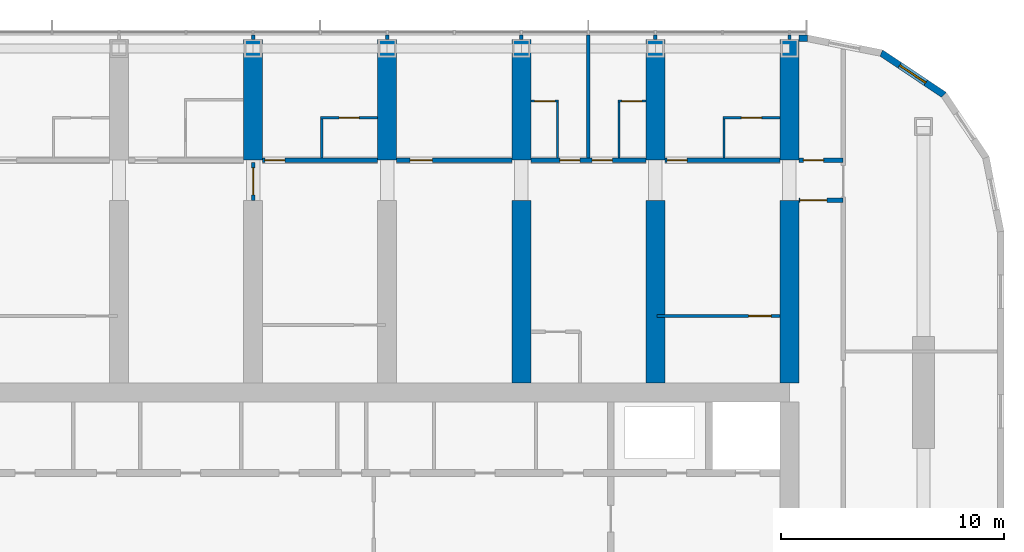
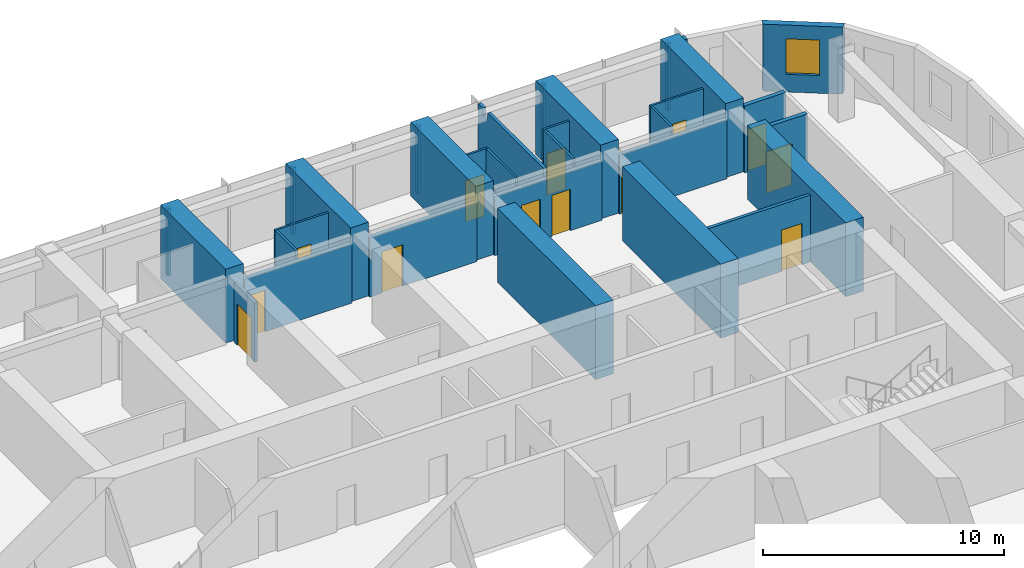
# One storey, part 16 of 22: 32 walls, 13 doors, 1 window, 14 openings.
"""IFC4 building model written with IfcOpenShell, lengths in metres."""

from ifc_helpers import new_model, si_unit, direction, frame, frame_2d, origin, place, context, subcontext, project, spatial, polyline, rectangle, outline, extrude, material, layer, layer_set, type_object, element, fill, save


model = new_model("IFC4")

# Units and contexts
model_context = context("Model", 3, precision=1e-05, world=origin(), true_north=direction((0.0, 1.0)))
body_context = subcontext(model_context, "Body", "Model", "MODEL_VIEW")
ifc_project = project(units=[si_unit("LENGTHUNIT", "METRE"), si_unit("AREAUNIT", "SQUARE_METRE"), si_unit("VOLUMEUNIT", "CUBIC_METRE"), si_unit("PLANEANGLEUNIT", "RADIAN"), si_unit("MASSUNIT", "GRAM", prefix="KILO")], contexts=[model_context])

# Site, building, storey
site_placement = place(None, origin())
site = spatial("IfcSite", under=ifc_project, at=site_placement, CompositionType="ELEMENT")
building_placement = place(site_placement, origin())
building = spatial("IfcBuilding", under=site, at=building_placement, Name="Orbita Commons", CompositionType="ELEMENT")
storey_placement = place(building_placement, frame((0.0, 0.0, 197.35009765625)))
storey = spatial("IfcBuildingStorey", under=building, at=storey_placement, Name="L49", CompositionType="ELEMENT", Elevation=197.35009765625)

# Wall, opening, door
ifc_material_1 = material(Name="Concrete blockwork", Category="masonry")
ifc_layer_1 = layer(ifc_material_1, 0.199951171875)
ifc_layer_set_1 = layer_set([ifc_layer_1], Name="Concrete blockwork")
wall_type_1 = type_object("IfcWallType", Name="Corridor wall 200 blockwork", PredefinedType="SOLIDWALL", material=ifc_layer_set_1)
wall_1_placement = place(storey_placement, frame((42.425048828125, 48.60009765625, 0.0), z_axis=(0.0, 0.0, 1.0), x_axis=(1.0, 0.0, 0.0)))
wall_1 = element("IfcWall", 1, at=wall_1_placement, inside=storey, type_object=wall_type_1, Name="Corridor wall 200 blockwork L49", PredefinedType="SOLIDWALL", context=body_context, shape_type="SweptSolid", body=[
    extrude(outline(polyline([(0.0, 0.0), (5.14990234375, 0.0), (5.14990234375, 3.0), (0.0, 3.0), (0.0, 0.0)])), frame((0.0, 0.10009765625, 0.0), z_axis=(0.0, -1.0, 0.0), x_axis=(1.0, 0.0, 0.0)), (0.0, 0.0, 1.0), 0.199951171875),
])
opening_1_placement = place(wall_1_placement, frame((0.10009765625, 0.0, 0.0)))
opening_1 = element("IfcOpeningElement", 2, at=opening_1_placement, cuts=wall_1, Name="Opening D11", PredefinedType="OPENING", context=body_context, shape_type="SweptSolid", body=[
    extrude(rectangle(XDim=0.89990234375, YDim=2.10009765625, at=frame_2d((0.449951171875, 1.050048828125))), frame((0.0, 0.10986328125, 0.0), z_axis=(0.0, -1.0, 0.0), x_axis=(1.0, 0.0, 0.0)), (0.0, 0.0, 1.0), 0.219970703125),
])
ifc_material_2 = material(Name="Steel-faced fire door leaf", Category="steel")
door_type_1 = type_object("IfcDoorType", Name="Corridor door 20 min 900x2100", OperationType="SINGLE_SWING_LEFT", PredefinedType="DOOR", material=ifc_material_2)
door_1_placement = place(opening_1_placement, origin())
door_1 = element("IfcDoor", 3, at=door_1_placement, inside=storey, type_object=door_type_1, Name="Twin room L49-N08 door", OperationType="SINGLE_SWING_LEFT", OverallHeight=2.10009765625, OverallWidth=0.89990234375, PredefinedType="DOOR", context=body_context, shape_type="SweptSolid", body=[
    extrude(rectangle(XDim=0.89990234375, YDim=2.10009765625, at=frame_2d((0.449951171875, 1.050048828125))), frame((0.0, 0.02490234375, 0.0), z_axis=(0.0, -1.0, 0.0), x_axis=(1.0, 0.0, 0.0)), (0.0, 0.0, 1.0), 0.050048828125),
])
fill(opening_1, door_1)

wall_2_placement = place(storey_placement, frame((48.425048828125, 48.60009765625, 0.0), z_axis=(0.0, 0.0, 1.0), x_axis=(1.0, 0.0, 0.0)))
wall_2 = element("IfcWall", 4, at=wall_2_placement, inside=storey, type_object=wall_type_1, Name="Corridor wall 200 blockwork L49", PredefinedType="SOLIDWALL", context=body_context, shape_type="SweptSolid", body=[
    extrude(outline(polyline([(0.0, 0.0), (5.14990234375, 0.0), (5.14990234375, 3.0), (0.0, 3.0), (0.0, 0.0)])), frame((0.0, 0.10009765625, 0.0), z_axis=(0.0, -1.0, 0.0), x_axis=(1.0, 0.0, 0.0)), (0.0, 0.0, 1.0), 0.199951171875),
])
opening_2_placement = place(wall_2_placement, frame((0.60009765625, 0.0, 0.0)))
opening_2 = element("IfcOpeningElement", 5, at=opening_2_placement, cuts=wall_2, Name="Opening D06", PredefinedType="OPENING", context=body_context, shape_type="SweptSolid", body=[
    extrude(rectangle(XDim=1.0, YDim=2.10009765625, at=frame_2d((0.5, 1.050048828125))), frame((0.0, 0.10986328125, 0.0), z_axis=(0.0, -1.0, 0.0), x_axis=(1.0, 0.0, 0.0)), (0.0, 0.0, 1.0), 0.219970703125),
])
ifc_material_3 = material(Name="Steel-faced fire door leaf", Category="steel")
door_type_2 = type_object("IfcDoorType", Name="Corridor door 20 min 1000x2100", OperationType="SINGLE_SWING_LEFT", PredefinedType="DOOR", material=ifc_material_3)
door_2_placement = place(opening_2_placement, origin())
door_2 = element("IfcDoor", 6, at=door_2_placement, inside=storey, type_object=door_type_2, Name="Cluster kitchen-diner L49-N10 door", OperationType="SINGLE_SWING_LEFT", OverallHeight=2.10009765625, OverallWidth=1.0, PredefinedType="DOOR", context=body_context, shape_type="SweptSolid", body=[
    extrude(rectangle(XDim=1.0, YDim=2.10009765625, at=frame_2d((0.5, 1.050048828125))), frame((0.0, 0.02490234375, 0.0), z_axis=(0.0, -1.0, 0.0), x_axis=(1.0, 0.0, 0.0)), (0.0, 0.0, 1.0), 0.050048828125),
])
fill(opening_2, door_2)

# Wall, openings, doors
wall_3_placement = place(storey_placement, frame((54.425048828125, 48.60009765625, 0.0), z_axis=(0.0, 0.0, 1.0), x_axis=(1.0, 0.0, 0.0)))
wall_3 = element("IfcWall", 7, at=wall_3_placement, inside=storey, type_object=wall_type_1, Name="Corridor wall 200 blockwork L49", PredefinedType="SOLIDWALL", context=body_context, shape_type="SweptSolid", body=[
    extrude(outline(polyline([(0.0, 0.0), (5.14990234375, 0.0), (5.14990234375, 3.0), (0.0, 3.0), (0.0, 0.0)])), frame((0.0, 0.10009765625, 0.0), z_axis=(0.0, -1.0, 0.0), x_axis=(1.0, 0.0, 0.0)), (0.0, 0.0, 1.0), 0.199951171875),
])
opening_3_placement = place(wall_3_placement, frame((1.300048828125, 0.0, 0.0)))
opening_3 = element("IfcOpeningElement", 8, at=opening_3_placement, cuts=wall_3, Name="Opening D11", PredefinedType="OPENING", context=body_context, shape_type="SweptSolid", body=[
    extrude(rectangle(XDim=0.89990234375, YDim=2.10009765625, at=frame_2d((0.449951171875, 1.050048828125))), frame((0.0, 0.10986328125, 0.0), z_axis=(0.0, -1.0, 0.0), x_axis=(1.0, 0.0, 0.0)), (0.0, 0.0, 1.0), 0.219970703125),
])
opening_4_placement = place(wall_3_placement, frame((2.75, 0.0, 0.0)))
opening_4 = element("IfcOpeningElement", 9, at=opening_4_placement, cuts=wall_3, Name="Opening D11", PredefinedType="OPENING", context=body_context, shape_type="SweptSolid", body=[
    extrude(rectangle(XDim=0.89990234375, YDim=2.10009765625, at=frame_2d((0.449951171875, 1.050048828125))), frame((0.0, 0.10986328125, 0.0), z_axis=(0.0, -1.0, 0.0), x_axis=(1.0, 0.0, 0.0)), (0.0, 0.0, 1.0), 0.219970703125),
])
door_3_placement = place(opening_3_placement, origin())
door_3 = element("IfcDoor", 10, at=door_3_placement, inside=storey, type_object=door_type_1, Name="Cluster bedroom L49-N12 door", OperationType="SINGLE_SWING_LEFT", OverallHeight=2.10009765625, OverallWidth=0.89990234375, PredefinedType="DOOR", context=body_context, shape_type="SweptSolid", body=[
    extrude(rectangle(XDim=0.89990234375, YDim=2.10009765625, at=frame_2d((0.449951171875, 1.050048828125))), frame((0.0, 0.02490234375, 0.0), z_axis=(0.0, -1.0, 0.0), x_axis=(1.0, 0.0, 0.0)), (0.0, 0.0, 1.0), 0.050048828125),
])
fill(opening_3, door_3)
door_4_placement = place(opening_4_placement, origin())
door_4 = element("IfcDoor", 11, at=door_4_placement, inside=storey, type_object=door_type_1, Name="Cluster bedroom L49-N13 door", OperationType="SINGLE_SWING_LEFT", OverallHeight=2.10009765625, OverallWidth=0.89990234375, PredefinedType="DOOR", context=body_context, shape_type="SweptSolid", body=[
    extrude(rectangle(XDim=0.89990234375, YDim=2.10009765625, at=frame_2d((0.449951171875, 1.050048828125))), frame((0.0, 0.02490234375, 0.0), z_axis=(0.0, -1.0, 0.0), x_axis=(1.0, 0.0, 0.0)), (0.0, 0.0, 1.0), 0.050048828125),
])
fill(opening_4, door_4)

# Wall, opening, door
wall_4_placement = place(storey_placement, frame((60.425048828125, 48.60009765625, 0.0), z_axis=(0.0, 0.0, 1.0), x_axis=(1.0, 0.0, 0.0)))
wall_4 = element("IfcWall", 12, at=wall_4_placement, inside=storey, type_object=wall_type_1, Name="Corridor wall 200 blockwork L49", PredefinedType="SOLIDWALL", context=body_context, shape_type="SweptSolid", body=[
    extrude(outline(polyline([(0.0, 0.0), (5.14990234375, 0.0), (5.14990234375, 3.0), (0.0, 3.0), (0.0, 0.0)])), frame((0.0, 0.10009765625, 0.0), z_axis=(0.0, -1.0, 0.0), x_axis=(1.0, 0.0, 0.0)), (0.0, 0.0, 1.0), 0.199951171875),
])
opening_5_placement = place(wall_4_placement, frame((0.10009765625, 0.0, 0.0)))
opening_5 = element("IfcOpeningElement", 13, at=opening_5_placement, cuts=wall_4, Name="Opening D11", PredefinedType="OPENING", context=body_context, shape_type="SweptSolid", body=[
    extrude(rectangle(XDim=0.89990234375, YDim=2.10009765625, at=frame_2d((0.449951171875, 1.050048828125))), frame((0.0, 0.10986328125, 0.0), z_axis=(0.0, -1.0, 0.0), x_axis=(1.0, 0.0, 0.0)), (0.0, 0.0, 1.0), 0.219970703125),
])
door_5_placement = place(opening_5_placement, origin())
door_5 = element("IfcDoor", 14, at=door_5_placement, inside=storey, type_object=door_type_1, Name="Twin room L49-N14 door", OperationType="SINGLE_SWING_LEFT", OverallHeight=2.10009765625, OverallWidth=0.89990234375, PredefinedType="DOOR", context=body_context, shape_type="SweptSolid", body=[
    extrude(rectangle(XDim=0.89990234375, YDim=2.10009765625, at=frame_2d((0.449951171875, 1.050048828125))), frame((0.0, 0.02490234375, 0.0), z_axis=(0.0, -1.0, 0.0), x_axis=(1.0, 0.0, 0.0)), (0.0, 0.0, 1.0), 0.050048828125),
])
fill(opening_5, door_5)

wall_5_placement = place(storey_placement, frame((66.425048828125, 48.60009765625, 0.0), z_axis=(0.0, 0.0, 1.0), x_axis=(1.0, 0.0, 0.0)))
wall_5 = element("IfcWall", 15, at=wall_5_placement, inside=storey, type_object=wall_type_1, Name="Corridor wall 200 blockwork L49", PredefinedType="SOLIDWALL", context=body_context, shape_type="SweptSolid", body=[
    extrude(rectangle(XDim=1.974853515625, YDim=0.199951171875, at=frame_2d((0.9873046875, 0.0))), origin(), (0.0, 0.0, 1.0), 3.39990234375),
])
opening_6_placement = place(wall_5_placement, frame((0.199951171875, 0.0, 0.0)))
opening_6 = element("IfcOpeningElement", 16, at=opening_6_placement, cuts=wall_5, Name="Opening D05", PredefinedType="OPENING", context=body_context, shape_type="SweptSolid", body=[
    extrude(rectangle(XDim=0.89990234375, YDim=2.10009765625, at=frame_2d((0.449951171875, 1.050048828125))), frame((0.0, 0.10986328125, 0.0), z_axis=(0.0, -1.0, 0.0), x_axis=(1.0, 0.0, 0.0)), (0.0, 0.0, 1.0), 0.219970703125),
])
ifc_material_4 = material(Name="Steel-faced fire door leaf", Category="steel")
door_type_3 = type_object("IfcDoorType", Name="Service door 20 min 900x2100", OperationType="SINGLE_SWING_LEFT", PredefinedType="DOOR", material=ifc_material_4)
door_6_placement = place(opening_6_placement, origin())
door_6 = element("IfcDoor", 17, at=door_6_placement, inside=storey, type_object=door_type_3, Name="Linen store L49-KEN door", OperationType="SINGLE_SWING_LEFT", OverallHeight=2.10009765625, OverallWidth=0.89990234375, PredefinedType="DOOR", context=body_context, shape_type="SweptSolid", body=[
    extrude(rectangle(XDim=0.89990234375, YDim=2.10009765625, at=frame_2d((0.449951171875, 1.050048828125))), frame((0.0, 0.02490234375, 0.0), z_axis=(0.0, -1.0, 0.0), x_axis=(1.0, 0.0, 0.0)), (0.0, 0.0, 1.0), 0.050048828125),
])
fill(opening_6, door_6)

ifc_material_5 = material(Name="Hollow concrete block 200", Category="concrete")
ifc_layer_2 = layer(ifc_material_5, 0.199951171875)
ifc_layer_set_2 = layer_set([ifc_layer_2], Name="Hollow concrete block 200")
wall_type_2 = type_object("IfcWallType", Name="Corridor wall 200 hollow concrete block", PredefinedType="SOLIDWALL", material=ifc_layer_set_2)
wall_6_placement = place(storey_placement, frame((66.425048828125, 46.800048828125, 0.0), z_axis=(0.0, 0.0, 1.0), x_axis=(1.0, 0.0, 0.0)))
wall_6 = element("IfcWall", 18, at=wall_6_placement, inside=storey, type_object=wall_type_2, Name="Corridor wall 200 hollow concrete block L49", PredefinedType="SOLIDWALL", context=body_context, shape_type="SweptSolid", body=[
    extrude(rectangle(XDim=1.974853515625, YDim=0.199951171875, at=frame_2d((0.9873046875, 0.0))), origin(), (0.0, 0.0, 1.0), 3.39990234375),
])
opening_7_placement = place(wall_6_placement, frame((0.050048828125, 0.0, 0.0)))
opening_7 = element("IfcOpeningElement", 19, at=opening_7_placement, cuts=wall_6, Name="Opening D12", PredefinedType="OPENING", context=body_context, shape_type="SweptSolid", body=[
    extrude(rectangle(XDim=1.199951171875, YDim=2.10009765625, at=frame_2d((0.60009765625, 1.050048828125))), frame((0.0, 0.10986328125, 0.0), z_axis=(0.0, -1.0, 0.0), x_axis=(1.0, 0.0, 0.0)), (0.0, 0.0, 1.0), 0.219970703125),
])
ifc_material_6 = material(Name="Steel-faced fire door leaf", Category="steel")
door_type_4 = type_object("IfcDoorType", Name="Double corridor door 20 min 1200x2100", OperationType="DOUBLE_DOOR_SINGLE_SWING", PredefinedType="DOOR", material=ifc_material_6)
door_7_placement = place(opening_7_placement, origin())
door_7 = element("IfcDoor", 20, at=door_7_placement, inside=storey, type_object=door_type_4, Name="Cross corridor doors", OperationType="DOUBLE_DOOR_SINGLE_SWING", OverallHeight=2.10009765625, OverallWidth=1.199951171875, PredefinedType="DOOR", context=body_context, shape_type="SweptSolid", body=[
    extrude(rectangle(XDim=1.199951171875, YDim=2.10009765625, at=frame_2d((0.60009765625, 1.050048828125))), frame((0.0, 0.02490234375, 0.0), z_axis=(0.0, -1.0, 0.0), x_axis=(1.0, 0.0, 0.0)), (0.0, 0.0, 1.0), 0.050048828125),
])
fill(opening_7, door_7)

# Walls
ifc_material_7 = material(Name="Concrete C50/60", Category="concrete")
ifc_layer_3 = layer(ifc_material_7, 0.85009765625)
ifc_layer_set_3 = layer_set([ifc_layer_3], Name="Concrete C50/60")
wall_type_3 = type_object("IfcWallType", Name="Cross wall 850 C50/60", PredefinedType="SHEAR", material=ifc_layer_set_3)
for number, where, z_axis, x_axis, name in (
    (21, (42.0, 48.60009765625, 0.0), (0.0, 0.0, 1.0), (0.0, 1.0, 0.0), "Cross wall 8 north outer L49"),
    (22, (48.0, 48.60009765625, 0.0), (0.0, 0.0, 1.0), (0.0, 1.0, 0.0), "Cross wall 9 north outer L49"),
    (23, (54.0, 48.60009765625, 0.0), (0.0, 0.0, 1.0), (0.0, 1.0, 0.0), "Cross wall 10 north outer L49"),
):
    element("IfcWall", number, at=place(storey_placement, frame(where, z_axis=z_axis, x_axis=x_axis)), inside=storey, type_object=wall_type_3, Name=name, PredefinedType="SHEAR", context=body_context, shape_type="SweptSolid", body=[
        extrude(rectangle(XDim=5.39990234375, YDim=0.85009765625, at=frame_2d((2.699951171875, 0.0))), origin(), (0.0, 0.0, 1.0), 3.75),
    ])
wall_7_placement = place(storey_placement, frame((54.0, 38.625, 0.0), z_axis=(0.0, 0.0, 1.0), x_axis=(0.0, 1.0, 0.0)))
element("IfcWall", 24, at=wall_7_placement, inside=storey, type_object=wall_type_3, Name="Cross wall 10 north inner L49", PredefinedType="SHEAR", context=body_context, shape_type="SweptSolid", body=[
    extrude(rectangle(XDim=8.175048828125, YDim=0.85009765625, at=frame_2d((4.08740234375, 0.0))), origin(), (0.0, 0.0, 1.0), 3.75),
])
wall_8_placement = place(storey_placement, frame((60.0, 48.60009765625, 0.0), z_axis=(0.0, 0.0, 1.0), x_axis=(0.0, 1.0, 0.0)))
element("IfcWall", 25, at=wall_8_placement, inside=storey, type_object=wall_type_3, Name="Cross wall 11 north outer L49", PredefinedType="SHEAR", context=body_context, shape_type="SweptSolid", body=[
    extrude(rectangle(XDim=5.39990234375, YDim=0.85009765625, at=frame_2d((2.699951171875, 0.0))), origin(), (0.0, 0.0, 1.0), 3.75),
])
wall_9_placement = place(storey_placement, frame((60.0, 38.625, 0.0), z_axis=(0.0, 0.0, 1.0), x_axis=(0.0, 1.0, 0.0)))
element("IfcWall", 26, at=wall_9_placement, inside=storey, type_object=wall_type_3, Name="Cross wall 11 north inner L49", PredefinedType="SHEAR", context=body_context, shape_type="SweptSolid", body=[
    extrude(rectangle(XDim=8.175048828125, YDim=0.85009765625, at=frame_2d((4.08740234375, 0.0))), origin(), (0.0, 0.0, 1.0), 3.75),
])
wall_10_placement = place(storey_placement, frame((66.0, 48.60009765625, 0.0), z_axis=(0.0, 0.0, 1.0), x_axis=(0.0, 1.0, 0.0)))
element("IfcWall", 27, at=wall_10_placement, inside=storey, type_object=wall_type_3, Name="Cross wall 12 north outer L49", PredefinedType="SHEAR", context=body_context, shape_type="SweptSolid", body=[
    extrude(rectangle(XDim=5.39990234375, YDim=0.85009765625, at=frame_2d((2.699951171875, 0.0))), origin(), (0.0, 0.0, 1.0), 3.75),
])
wall_11_placement = place(storey_placement, frame((66.0, 38.625, 0.0), z_axis=(0.0, 0.0, 1.0), x_axis=(0.0, 1.0, 0.0)))
element("IfcWall", 28, at=wall_11_placement, inside=storey, type_object=wall_type_3, Name="Cross wall 12 north inner L49", PredefinedType="SHEAR", context=body_context, shape_type="SweptSolid", body=[
    extrude(rectangle(XDim=8.175048828125, YDim=0.85009765625, at=frame_2d((4.08740234375, 0.0))), origin(), (0.0, 0.0, 1.0), 3.75),
])

# Wall, opening, door
ifc_material_8 = material(Name="Moisture-resistant plasterboard on steel studs", Category="steel")
ifc_layer_4 = layer(ifc_material_8, 0.10009765625)
ifc_layer_set_4 = layer_set([ifc_layer_4], Name="Moisture-resistant plasterboard on steel studs")
wall_type_4 = type_object("IfcWallType", Name="En-suite partition 100", PredefinedType="PARTITIONING", material=ifc_layer_set_4)
wall_12_placement = place(storey_placement, frame((45.02490234375, 50.5, 0.0), z_axis=(0.0, 0.0, 1.0), x_axis=(1.0, 0.0, 0.0)))
wall_12 = element("IfcWall", 29, at=wall_12_placement, inside=storey, type_object=wall_type_4, Name="En-suite partition 100 L49", PredefinedType="PARTITIONING", context=body_context, shape_type="SweptSolid", body=[
    extrude(rectangle(XDim=2.550048828125, YDim=0.10009765625, at=frame_2d((1.27490234375, 0.0))), origin(), (0.0, 0.0, 1.0), 3.39990234375),
])
opening_8_placement = place(wall_12_placement, frame((0.824951171875, 0.0, 0.0)))
opening_8 = element("IfcOpeningElement", 30, at=opening_8_placement, cuts=wall_12, Name="Opening D09", PredefinedType="OPENING", context=body_context, shape_type="SweptSolid", body=[
    extrude(rectangle(XDim=0.89990234375, YDim=2.10009765625, at=frame_2d((0.449951171875, 1.050048828125))), frame((0.0, 0.06005859375, 0.0), z_axis=(0.0, -1.0, 0.0), x_axis=(1.0, 0.0, 0.0)), (0.0, 0.0, 1.0), 0.1201171875),
])
ifc_material_9 = material(Name="Laminated timber door leaf", Category="wood")
door_type_5 = type_object("IfcDoorType", Name="En-suite door 900x2100", OperationType="SINGLE_SWING_RIGHT", PredefinedType="DOOR", material=ifc_material_9)
door_8_placement = place(opening_8_placement, origin())
door_8 = element("IfcDoor", 31, at=door_8_placement, inside=storey, type_object=door_type_5, Name="En-suite L49-N08 door", OperationType="SINGLE_SWING_RIGHT", OverallHeight=2.10009765625, OverallWidth=0.89990234375, PredefinedType="DOOR", context=body_context, shape_type="SweptSolid", body=[
    extrude(rectangle(XDim=0.89990234375, YDim=2.10009765625, at=frame_2d((0.449951171875, 1.050048828125))), frame((0.0, 0.02490234375, 0.0), z_axis=(0.0, -1.0, 0.0), x_axis=(1.0, 0.0, 0.0)), (0.0, 0.0, 1.0), 0.050048828125),
])
fill(opening_8, door_8)

# Wall
wall_13_placement = place(storey_placement, frame((45.074951171875, 50.449951171875, 0.0), z_axis=(0.0, 0.0, 1.0), x_axis=(0.0, -1.0, 0.0)))
element("IfcWall", 32, at=wall_13_placement, inside=storey, type_object=wall_type_4, Name="En-suite partition 100 L49", PredefinedType="PARTITIONING", context=body_context, shape_type="SweptSolid", body=[
    extrude(outline(polyline([(0.0, 0.0), (1.75, 0.0), (1.75, 3.0), (1.701904296875, 3.0), (1.699951171875, 3.39990234375), (0.0, 3.39990234375), (0.0, 0.0)])), frame((0.0, 0.050048828125, 0.0), z_axis=(0.0, -1.0, 0.0), x_axis=(1.0, 0.0, 0.0)), (0.0, 0.0, 1.0), 0.10009765625),
])

# Wall, opening, door
wall_14_placement = place(storey_placement, frame((54.425048828125, 51.24169921875, 0.0), z_axis=(0.0, 0.0, 1.0), x_axis=(1.0, 0.0, 0.0)))
wall_14 = element("IfcWall", 33, at=wall_14_placement, inside=storey, type_object=wall_type_4, Name="En-suite partition 100 L49", PredefinedType="PARTITIONING", context=body_context, shape_type="SweptSolid", body=[
    extrude(rectangle(XDim=1.25, YDim=0.10009765625, at=frame_2d((0.625, 0.0))), origin(), (0.0, 0.0, 1.0), 3.39990234375),
])
opening_9_placement = place(wall_14_placement, frame((0.175048828125, 0.0, 0.0)))
opening_9 = element("IfcOpeningElement", 34, at=opening_9_placement, cuts=wall_14, Name="Opening D09", PredefinedType="OPENING", context=body_context, shape_type="SweptSolid", body=[
    extrude(rectangle(XDim=0.89990234375, YDim=2.10009765625, at=frame_2d((0.449951171875, 1.050048828125))), frame((0.0, 0.06005859375, 0.0), z_axis=(0.0, -1.0, 0.0), x_axis=(1.0, 0.0, 0.0)), (0.0, 0.0, 1.0), 0.1201171875),
])
door_9_placement = place(opening_9_placement, origin())
door_9 = element("IfcDoor", 35, at=door_9_placement, inside=storey, type_object=door_type_5, Name="En-suite L49-N12 door", OperationType="SINGLE_SWING_RIGHT", OverallHeight=2.10009765625, OverallWidth=0.89990234375, PredefinedType="DOOR", context=body_context, shape_type="SweptSolid", body=[
    extrude(rectangle(XDim=0.89990234375, YDim=2.10009765625, at=frame_2d((0.449951171875, 1.050048828125))), frame((0.0, 0.02490234375, 0.0), z_axis=(0.0, -1.0, 0.0), x_axis=(1.0, 0.0, 0.0)), (0.0, 0.0, 1.0), 0.050048828125),
])
fill(opening_9, door_9)

# Wall
wall_15_placement = place(storey_placement, frame((55.625, 51.191650390625, 0.0), z_axis=(0.0, 0.0, 1.0), x_axis=(0.0, -1.0, 0.0)))
element("IfcWall", 36, at=wall_15_placement, inside=storey, type_object=wall_type_4, Name="En-suite partition 100 L49", PredefinedType="PARTITIONING", context=body_context, shape_type="SweptSolid", body=[
    extrude(outline(polyline([(0.0, 0.0), (2.49169921875, 0.0), (2.49169921875, 3.0), (2.443603515625, 3.0), (2.441650390625, 3.39990234375), (0.0, 3.39990234375), (0.0, 0.0)])), frame((0.0, 0.050048828125, 0.0), z_axis=(0.0, -1.0, 0.0), x_axis=(1.0, 0.0, 0.0)), (0.0, 0.0, 1.0), 0.10009765625),
])

# Wall, opening, door
wall_16_placement = place(storey_placement, frame((58.324951171875, 51.24169921875, 0.0), z_axis=(0.0, 0.0, 1.0), x_axis=(1.0, 0.0, 0.0)))
wall_16 = element("IfcWall", 37, at=wall_16_placement, inside=storey, type_object=wall_type_4, Name="En-suite partition 100 L49", PredefinedType="PARTITIONING", context=body_context, shape_type="SweptSolid", body=[
    extrude(rectangle(XDim=1.25, YDim=0.10009765625, at=frame_2d((0.625, 0.0))), origin(), (0.0, 0.0, 1.0), 3.39990234375),
])
opening_10_placement = place(wall_16_placement, frame((0.175048828125, 0.0, 0.0)))
opening_10 = element("IfcOpeningElement", 38, at=opening_10_placement, cuts=wall_16, Name="Opening D09", PredefinedType="OPENING", context=body_context, shape_type="SweptSolid", body=[
    extrude(rectangle(XDim=0.89990234375, YDim=2.10009765625, at=frame_2d((0.449951171875, 1.050048828125))), frame((0.0, 0.06005859375, 0.0), z_axis=(0.0, -1.0, 0.0), x_axis=(1.0, 0.0, 0.0)), (0.0, 0.0, 1.0), 0.1201171875),
])
door_10_placement = place(opening_10_placement, origin())
door_10 = element("IfcDoor", 39, at=door_10_placement, inside=storey, type_object=door_type_5, Name="En-suite L49-N13 door", OperationType="SINGLE_SWING_RIGHT", OverallHeight=2.10009765625, OverallWidth=0.89990234375, PredefinedType="DOOR", context=body_context, shape_type="SweptSolid", body=[
    extrude(rectangle(XDim=0.89990234375, YDim=2.10009765625, at=frame_2d((0.449951171875, 1.050048828125))), frame((0.0, 0.02490234375, 0.0), z_axis=(0.0, -1.0, 0.0), x_axis=(1.0, 0.0, 0.0)), (0.0, 0.0, 1.0), 0.050048828125),
])
fill(opening_10, door_10)

# Wall
wall_17_placement = place(storey_placement, frame((58.375, 51.191650390625, 0.0), z_axis=(0.0, 0.0, 1.0), x_axis=(0.0, -1.0, 0.0)))
element("IfcWall", 40, at=wall_17_placement, inside=storey, type_object=wall_type_4, Name="En-suite partition 100 L49", PredefinedType="PARTITIONING", context=body_context, shape_type="SweptSolid", body=[
    extrude(outline(polyline([(0.0, 0.0), (2.49169921875, 0.0), (2.49169921875, 3.0), (2.443603515625, 3.0), (2.441650390625, 3.39990234375), (0.0, 3.39990234375), (0.0, 0.0)])), frame((0.0, 0.050048828125, 0.0), z_axis=(0.0, -1.0, 0.0), x_axis=(1.0, 0.0, 0.0)), (0.0, 0.0, 1.0), 0.10009765625),
])

# Wall, opening, door
wall_18_placement = place(storey_placement, frame((63.02490234375, 50.5, 0.0), z_axis=(0.0, 0.0, 1.0), x_axis=(1.0, 0.0, 0.0)))
wall_18 = element("IfcWall", 41, at=wall_18_placement, inside=storey, type_object=wall_type_4, Name="En-suite partition 100 L49", PredefinedType="PARTITIONING", context=body_context, shape_type="SweptSolid", body=[
    extrude(rectangle(XDim=2.550048828125, YDim=0.10009765625, at=frame_2d((1.27490234375, 0.0))), origin(), (0.0, 0.0, 1.0), 3.39990234375),
])
opening_11_placement = place(wall_18_placement, frame((0.824951171875, 0.0, 0.0)))
opening_11 = element("IfcOpeningElement", 42, at=opening_11_placement, cuts=wall_18, Name="Opening D09", PredefinedType="OPENING", context=body_context, shape_type="SweptSolid", body=[
    extrude(rectangle(XDim=0.89990234375, YDim=2.10009765625, at=frame_2d((0.449951171875, 1.050048828125))), frame((0.0, 0.06005859375, 0.0), z_axis=(0.0, -1.0, 0.0), x_axis=(1.0, 0.0, 0.0)), (0.0, 0.0, 1.0), 0.1201171875),
])
door_11_placement = place(opening_11_placement, origin())
door_11 = element("IfcDoor", 43, at=door_11_placement, inside=storey, type_object=door_type_5, Name="En-suite L49-N14 door", OperationType="SINGLE_SWING_RIGHT", OverallHeight=2.10009765625, OverallWidth=0.89990234375, PredefinedType="DOOR", context=body_context, shape_type="SweptSolid", body=[
    extrude(rectangle(XDim=0.89990234375, YDim=2.10009765625, at=frame_2d((0.449951171875, 1.050048828125))), frame((0.0, 0.02490234375, 0.0), z_axis=(0.0, -1.0, 0.0), x_axis=(1.0, 0.0, 0.0)), (0.0, 0.0, 1.0), 0.050048828125),
])
fill(opening_11, door_11)

# Wall
wall_19_placement = place(storey_placement, frame((63.074951171875, 50.449951171875, 0.0), z_axis=(0.0, 0.0, 1.0), x_axis=(0.0, -1.0, 0.0)))
element("IfcWall", 44, at=wall_19_placement, inside=storey, type_object=wall_type_4, Name="En-suite partition 100 L49", PredefinedType="PARTITIONING", context=body_context, shape_type="SweptSolid", body=[
    extrude(outline(polyline([(0.0, 0.0), (1.75, 0.0), (1.75, 3.0), (1.701904296875, 3.0), (1.699951171875, 3.39990234375), (0.0, 3.39990234375), (0.0, 0.0)])), frame((0.0, 0.050048828125, 0.0), z_axis=(0.0, -1.0, 0.0), x_axis=(1.0, 0.0, 0.0)), (0.0, 0.0, 1.0), 0.10009765625),
])

# Wall, opening, door
ifc_material_10 = material(Name="Gypsum plasterboard on steel studs", Category="steel")
ifc_layer_5 = layer(ifc_material_10, 0.14990234375)
ifc_layer_set_5 = layer_set([ifc_layer_5], Name="Gypsum plasterboard on steel studs")
wall_type_5 = type_object("IfcWallType", Name="Partition 150 plasterboard", PredefinedType="PARTITIONING", material=ifc_layer_set_5)
wall_20_placement = place(storey_placement, frame((65.574951171875, 41.625, 0.0), z_axis=(0.0, 0.0, 1.0), x_axis=(-1.0, 0.0, 0.0)))
wall_20 = element("IfcWall", 45, at=wall_20_placement, inside=storey, type_object=wall_type_5, Name="Partition 150 plasterboard L49", PredefinedType="PARTITIONING", context=body_context, shape_type="SweptSolid", body=[
    extrude(rectangle(XDim=5.5, YDim=0.14990234375, at=frame_2d((2.75, 0.0))), origin(), (0.0, 0.0, 1.0), 3.39990234375),
])
opening_12_placement = place(wall_20_placement, frame((0.39990234375, 0.0, 0.0)))
opening_12 = element("IfcOpeningElement", 46, at=opening_12_placement, cuts=wall_20, Name="Opening D18", PredefinedType="OPENING", context=body_context, shape_type="SweptSolid", body=[
    extrude(rectangle(XDim=1.0, YDim=2.10009765625, at=frame_2d((0.5, 1.050048828125))), frame((0.0, 0.0849609375, 0.0), z_axis=(0.0, -1.0, 0.0), x_axis=(1.0, 0.0, 0.0)), (0.0, 0.0, 1.0), 0.169921875),
])
ifc_material_11 = material(Name="Steel-faced fire door leaf", Category="steel")
door_type_6 = type_object("IfcDoorType", Name="Service door 20 min 1000x2100", OperationType="SINGLE_SWING_LEFT", PredefinedType="DOOR", material=ifc_material_11)
door_12_placement = place(opening_12_placement, origin())
door_12 = element("IfcDoor", 47, at=door_12_placement, inside=storey, type_object=door_type_6, Name="Bulk and luggage store L49-BDN60 door", OperationType="SINGLE_SWING_LEFT", OverallHeight=2.10009765625, OverallWidth=1.0, PredefinedType="DOOR", context=body_context, shape_type="SweptSolid", body=[
    extrude(rectangle(XDim=1.0, YDim=2.10009765625, at=frame_2d((0.5, 1.050048828125))), frame((0.0, 0.02490234375, 0.0), z_axis=(0.0, -1.0, 0.0), x_axis=(1.0, 0.0, 0.0)), (0.0, 0.0, 1.0), 0.050048828125),
])
fill(opening_12, door_12)

wall_21_placement = place(storey_placement, frame((42.0, 46.800048828125, 0.0), z_axis=(0.0, 0.0, 1.0), x_axis=(0.0, 1.0, 0.0)))
wall_21 = element("IfcWall", 48, at=wall_21_placement, inside=storey, type_object=wall_type_5, Name="Partition 150 plasterboard L49", PredefinedType="PARTITIONING", context=body_context, shape_type="SweptSolid", body=[
    extrude(outline(polyline([(0.0, 0.0), (1.699951171875, 0.0), (1.699951171875, 3.0), (0.0, 3.0), (0.0, 0.0)])), frame((0.0, 0.074951171875, 0.0), z_axis=(0.0, -1.0, 0.0), x_axis=(1.0, 0.0, 0.0)), (0.0, 0.0, 1.0), 0.14990234375),
])
opening_13_placement = place(wall_21_placement, frame((0.25, 0.0, 0.0)))
opening_13 = element("IfcOpeningElement", 49, at=opening_13_placement, cuts=wall_21, Name="Opening D12", PredefinedType="OPENING", context=body_context, shape_type="SweptSolid", body=[
    extrude(rectangle(XDim=1.199951171875, YDim=2.10009765625, at=frame_2d((0.60009765625, 1.050048828125))), frame((0.0, 0.0849609375, 0.0), z_axis=(0.0, -1.0, 0.0), x_axis=(1.0, 0.0, 0.0)), (0.0, 0.0, 1.0), 0.169921875),
])
door_13_placement = place(opening_13_placement, origin())
door_13 = element("IfcDoor", 50, at=door_13_placement, inside=storey, type_object=door_type_4, Name="Social spine north screen doors", OperationType="DOUBLE_DOOR_SINGLE_SWING", OverallHeight=2.10009765625, OverallWidth=1.199951171875, PredefinedType="DOOR", context=body_context, shape_type="SweptSolid", body=[
    extrude(rectangle(XDim=1.199951171875, YDim=2.10009765625, at=frame_2d((0.60009765625, 1.050048828125))), frame((0.0, 0.02490234375, 0.0), z_axis=(0.0, -1.0, 0.0), x_axis=(1.0, 0.0, 0.0)), (0.0, 0.0, 1.0), 0.050048828125),
])
fill(opening_13, door_13)

# Walls
for number, where, z_axis, x_axis, name in (
    (51, (42.0, 54.0, 0.0), (0.0, 0.0, 1.0), (0.0, 1.0, 0.0), "Partition 150 plasterboard L49"),
    (52, (48.0, 54.0, 0.0), (0.0, 0.0, 1.0), (0.0, 1.0, 0.0), "Partition 150 plasterboard L49"),
    (53, (54.0, 54.0, 0.0), (0.0, 0.0, 1.0), (0.0, 1.0, 0.0), "Partition 150 plasterboard L49"),
    (54, (60.0, 54.0, 0.0), (0.0, 0.0, 1.0), (0.0, 1.0, 0.0), "Partition 150 plasterboard L49"),
    (55, (66.0, 54.0, 0.0), (0.0, 0.0, 1.0), (0.0, 1.0, 0.0), "Partition 150 plasterboard L49"),
):
    element("IfcWall", number, at=place(storey_placement, frame(where, z_axis=z_axis, x_axis=x_axis)), inside=storey, type_object=wall_type_5, Name=name, PredefinedType="PARTITIONING", context=body_context, shape_type="SweptSolid", body=[
        extrude(rectangle(XDim=0.18994140625, YDim=0.14990234375, at=frame_2d((0.094970703125, 0.0))), origin(), (0.0, 0.0, 1.0), 3.39990234375),
    ])
ifc_material_12 = material(Name="Gypsum plasterboard on steel studs", Category="steel")
ifc_layer_6 = layer(ifc_material_12, 0.14990234375)
ifc_layer_set_6 = layer_set([ifc_layer_6], Name="Gypsum plasterboard on steel studs")
wall_type_6 = type_object("IfcWallType", Name="Party wall 150 plasterboard", PredefinedType="PARTITIONING", material=ifc_layer_set_6)
wall_22_placement = place(storey_placement, frame((57.0, 54.18994140625, 0.0), z_axis=(0.0, 0.0, 1.0), x_axis=(0.0, -1.0, 0.0)))
element("IfcWall", 56, at=wall_22_placement, inside=storey, type_object=wall_type_6, Name="Party wall 150 plasterboard L49", PredefinedType="PARTITIONING", context=body_context, shape_type="SweptSolid", body=[
    extrude(outline(polyline([(0.0, 0.0), (5.489990234375, 0.0), (5.489990234375, 3.0), (5.44189453125, 3.0), (5.43994140625, 3.39990234375), (0.7919921875, 3.39990234375), (0.7900390625, 3.0), (0.39208984375, 3.0), (0.389892578125, 3.39990234375), (0.0, 3.39990234375), (0.0, 0.0)])), frame((0.0, 0.074951171875, 0.0), z_axis=(0.0, -1.0, 0.0), x_axis=(1.0, 0.0, 0.0)), (0.0, 0.0, 1.0), 0.14990234375),
])

# Wall, opening, window
ifc_material_13 = material(Name="Precast concrete C40/50, white board-marked finish", Category="concrete")
ifc_layer_7 = layer(ifc_material_13, 0.300048828125)
ifc_layer_set_7 = layer_set([ifc_layer_7], Name="Precast concrete C40/50, white board-marked finish")
wall_type_7 = type_object("IfcWallType", Name="Precast concrete end shield 300", PredefinedType="SOLIDWALL", material=ifc_layer_set_7)
wall_23_placement = place(storey_placement, frame((72.91650390625, 51.5166015625, 0.0), z_axis=(0.0, 0.0, 1.0), x_axis=(-0.831493450887, 0.555534554399, 0.0)))
wall_23 = element("IfcWall", 57, at=wall_23_placement, inside=storey, type_object=wall_type_7, Name="End shield NE chord 3 L49", PredefinedType="SOLIDWALL", context=body_context, shape_type="SweptSolid", body=[
    extrude(outline(polyline([(-0.02978515625, -0.14990234375), (3.405029296875, -0.14990234375), (3.345458984375, 0.14990234375), (0.02978515625, 0.14990234375), (-0.02978515625, -0.14990234375)])), origin(), (0.0, 0.0, 1.0), 3.39990234375),
])
opening_14_placement = place(wall_23_placement, frame((0.987548828125, 0.0, 0.89990234375)))
opening_14 = element("IfcOpeningElement", 58, at=opening_14_placement, cuts=wall_23, Name="Opening W02", PredefinedType="OPENING", context=body_context, shape_type="SweptSolid", body=[
    extrude(rectangle(XDim=1.39990234375, YDim=1.800048828125, at=frame_2d((0.699951171875, 0.89990234375))), frame((0.0, 0.159912109375, 0.0), z_axis=(0.0, -1.0, 0.0), x_axis=(1.0, 0.0, 0.0)), (0.0, 0.0, 1.0), 0.320068359375),
])
ifc_material_14 = material(Name="Aluminium frame, clear double glazing", Category="aluminium")
window_type = type_object("IfcWindowType", Name="Deep-set window 1400x1800", PartitioningType="SINGLE_PANEL", PredefinedType="WINDOW", material=ifc_material_14)
window_placement = place(opening_14_placement, origin())
window = element("IfcWindow", 59, at=window_placement, inside=storey, type_object=window_type, Name="Window L49-NE2", OverallHeight=1.800048828125, OverallWidth=1.39990234375, PartitioningType="SINGLE_PANEL", PredefinedType="WINDOW", context=body_context, shape_type="SweptSolid", body=[
    extrude(rectangle(XDim=1.39990234375, YDim=1.800048828125, at=frame_2d((0.699951171875, 0.89990234375))), frame((0.0, 0.030029296875, 0.0), z_axis=(0.0, -1.0, 0.0), x_axis=(1.0, 0.0, 0.0)), (0.0, 0.0, 1.0), 0.06005859375),
])
fill(opening_14, window)

# Wall
wall_24_placement = place(storey_placement, frame((66.800048828125, 54.050048828125, 0.0), z_axis=(0.0, 0.0, 1.0), x_axis=(-1.0, 0.0, 0.0)))
element("IfcWall", 60, at=wall_24_placement, inside=storey, type_object=wall_type_7, Name="End shield NE closer L49", PredefinedType="SOLIDWALL", context=body_context, shape_type="SweptSolid", body=[
    extrude(rectangle(XDim=0.375, YDim=0.300048828125, at=frame_2d((0.1875, 0.0))), origin(), (0.0, 0.0, 1.0), 3.39990234375),
])

save(model, "model.ifc")
